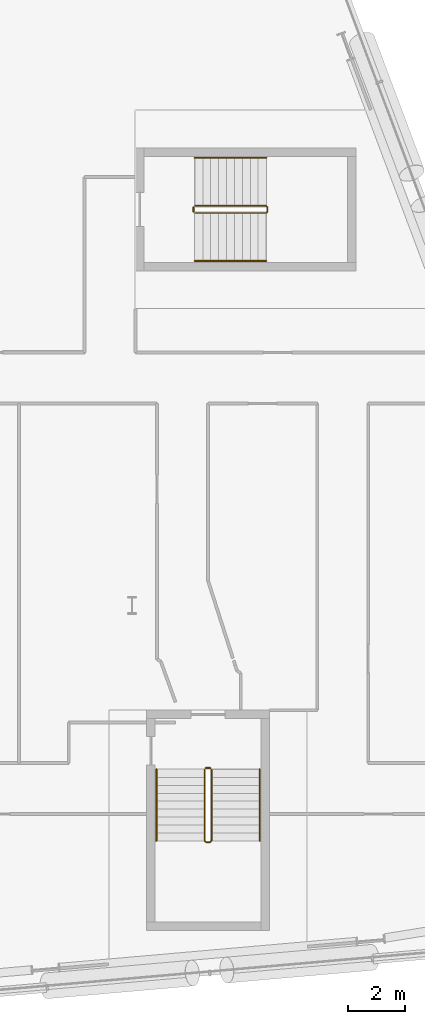
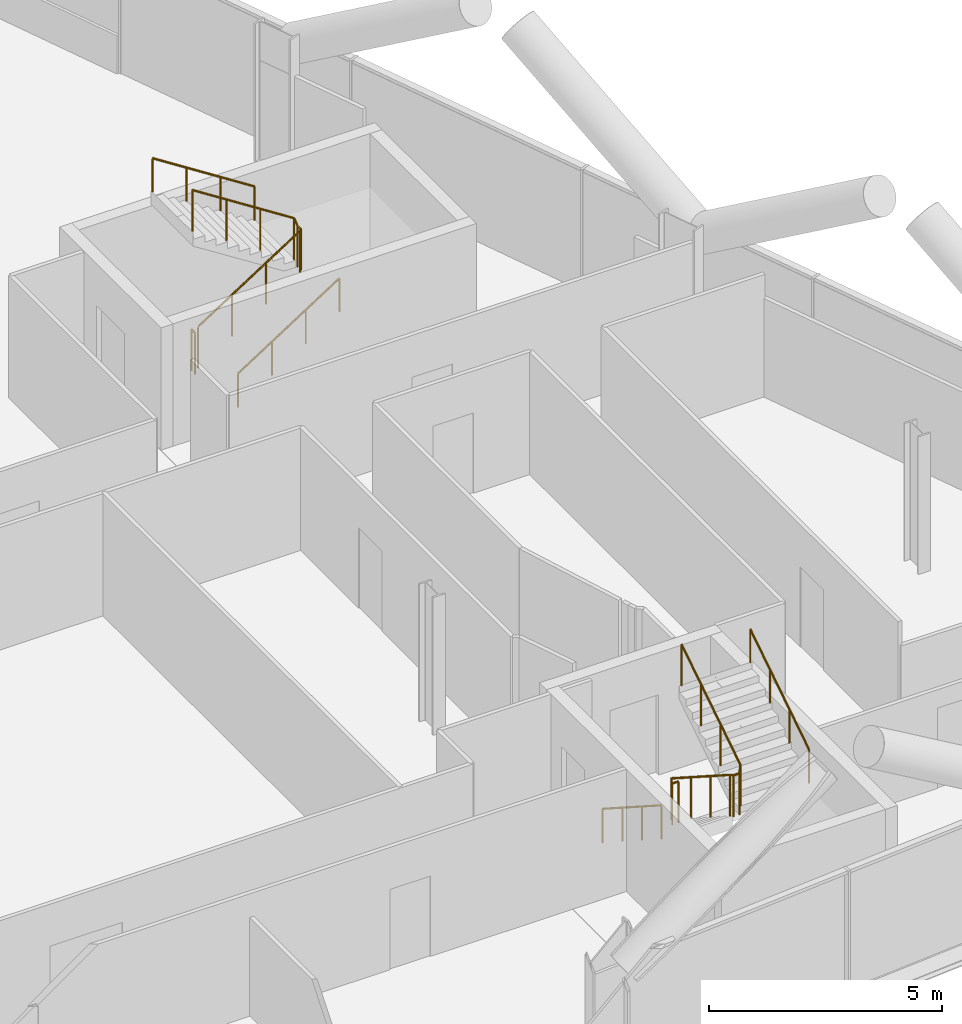
# One storey, part 28 of 28: 8 railings.
"""IFC4 building model written with IfcOpenShell, lengths in metres."""

from ifc_helpers import new_model, si_unit, direction, frame, origin, origin_2d, place, context, subcontext, project, spatial, circle, extrude, material, type_object, element, save


model = new_model("IFC4")

# Units and contexts
model_context = context("Model", 3, precision=1e-05, world=origin(), true_north=direction((0.0, 1.0)))
body_context = subcontext(model_context, "Body", "Model", "MODEL_VIEW")
ifc_project = project(units=[si_unit("LENGTHUNIT", "METRE"), si_unit("AREAUNIT", "SQUARE_METRE"), si_unit("VOLUMEUNIT", "CUBIC_METRE"), si_unit("PLANEANGLEUNIT", "RADIAN"), si_unit("MASSUNIT", "GRAM", prefix="KILO")], contexts=[model_context])

# Site, building, storey
site_placement = place(None, origin())
site = spatial("IfcSite", under=ifc_project, at=site_placement, CompositionType="ELEMENT")
building_placement = place(site_placement, origin())
building = spatial("IfcBuilding", under=site, at=building_placement, Name="Wharfspan Tower", CompositionType="ELEMENT")
storey_placement = place(building_placement, frame((0.0, 0.0, 59.5)))
storey = spatial("IfcBuildingStorey", under=building, at=storey_placement, Name="L11", CompositionType="ELEMENT", Elevation=59.5)

# Railings
ifc_material = material(Name="Steel S355J2", Category="steel")
railing_type_1 = type_object("IfcRailingType", Name="Stair guard 1100", PredefinedType="GUARDRAIL", material=ifc_material)
railing_1_placement = place(storey_placement, frame((74.567383, 5.691895, 0.179932)))
element("IfcRailing", 1, at=railing_1_placement, inside=storey, type_object=railing_type_1, Name="L11 ST5 stair guard 1", PredefinedType="GUARDRAIL", context=body_context, shape_type="SweptSolid", body=[
    extrude(circle(Radius=0.023926, at=origin_2d()), frame((0.0, 0.0, 1.076172), z_axis=(0.0, -0.841139, 0.540819), x_axis=(1.0, 0.0, 0.0)), (0.0, 0.0, 1.0), 2.995605),
    extrude(circle(Radius=0.023926, at=origin_2d()), frame((0.0, -2.519775, 2.696289), z_axis=(0.707107, -0.707107, 0.0), x_axis=(0.707107, 0.707107, 0.0)), (0.0, 0.0, 1.0), 0.070801),
    extrude(circle(Radius=0.023926, at=origin_2d()), frame((0.050049, -2.569824, 2.696289), z_axis=(1.0, 0.0, 0.0), x_axis=(0.0, 1.0, 0.0)), (0.0, 0.0, 1.0), 0.150146),
    extrude(circle(Radius=0.023926, at=origin_2d()), frame((0.200195, -2.569824, 2.696289), z_axis=(0.257669, 0.258932, 0.930892), x_axis=(-0.708833, 0.705372, 1e-06)), (0.0, 0.0, 1.0), 0.193359),
    extrude(circle(Radius=0.023926, at=origin_2d()), frame((0.25, -2.519775, 2.875977), z_axis=(0.0, 0.841139, 0.540819), x_axis=(-1.0, 0.0, 0.0)), (0.0, 0.0, 1.0), 2.995605),
    extrude(circle(Radius=0.020996, at=origin_2d()), origin(), (0.0, 0.0, 1.0), 1.052002),
    extrude(circle(Radius=0.020996, at=origin_2d()), frame((0.0, -0.839844, 0.540039)), (0.0, 0.0, 1.0), 1.052002),
    extrude(circle(Radius=0.020996, at=origin_2d()), frame((0.0, -1.679932, 1.080078)), (0.0, 0.0, 1.0), 1.052002),
    extrude(circle(Radius=0.020996, at=origin_2d()), frame((0.0, -2.519775, 1.620117)), (0.0, 0.0, 1.0), 1.052002),
    extrude(circle(Radius=0.020996, at=origin_2d()), frame((0.050049, -2.569824, 1.620117)), (0.0, 0.0, 1.0), 1.052002),
    extrude(circle(Radius=0.020996, at=origin_2d()), frame((0.200195, -2.569824, 1.620117)), (0.0, 0.0, 1.0), 1.052002),
    extrude(circle(Radius=0.020996, at=origin_2d()), frame((0.25, -2.519775, 1.800049)), (0.0, 0.0, 1.0), 1.052002),
    extrude(circle(Radius=0.020996, at=origin_2d()), frame((0.25, -1.679932, 2.340088)), (0.0, 0.0, 1.0), 1.052002),
    extrude(circle(Radius=0.020996, at=origin_2d()), frame((0.25, -0.839844, 2.880127)), (0.0, 0.0, 1.0), 1.052002),
    extrude(circle(Radius=0.020996, at=origin_2d()), frame((0.25, 0.0, 3.420166)), (0.0, 0.0, 1.0), 1.052002),
])
railing_2_placement = place(storey_placement, frame((74.617432, 5.741943, 0.0)))
element("IfcRailing", 2, at=railing_2_placement, inside=storey, type_object=railing_type_1, Name="L11 ST5 stair guard 2", PredefinedType="GUARDRAIL", context=body_context, shape_type="SweptSolid", body=[
    extrude(circle(Radius=0.023926, at=origin_2d()), frame((0.0, 0.0, 1.076172), z_axis=(1.0, 0.0, 0.0), x_axis=(0.0, 1.0, 0.0)), (0.0, 0.0, 1.0), 0.150146),
    extrude(circle(Radius=0.020996, at=origin_2d()), origin(), (0.0, 0.0, 1.0), 1.052002),
    extrude(circle(Radius=0.020996, at=origin_2d()), frame((0.150146, 0.0, 0.0)), (0.0, 0.0, 1.0), 1.052002),
])
railing_3_placement = place(storey_placement, frame((74.225098, 25.375, 0.179932)))
element("IfcRailing", 3, at=railing_3_placement, inside=storey, type_object=railing_type_1, Name="L11 ST6 stair guard 1", PredefinedType="GUARDRAIL", context=body_context, shape_type="SweptSolid", body=[
    extrude(circle(Radius=0.023926, at=origin_2d()), frame((0.0, 0.0, 1.076172), z_axis=(0.841163, 0.0, 0.540782), x_axis=(0.0, 1.0, 0.0)), (0.0, 0.0, 1.0), 2.99585),
    extrude(circle(Radius=0.023926, at=origin_2d()), frame((2.52002, 0.0, 2.696289), z_axis=(0.705376, 0.708834, 0.0), x_axis=(-0.708834, 0.705376, 0.0)), (0.0, 0.0, 1.0), 0.070557),
    extrude(circle(Radius=0.023926, at=origin_2d()), frame((2.569824, 0.050049, 2.696289), z_axis=(0.0, 1.0, 0.0), x_axis=(-1.0, 0.0, 0.0)), (0.0, 0.0, 1.0), 0.149902),
    extrude(circle(Radius=0.023926, at=origin_2d()), frame((2.569824, 0.199951, 2.696289), z_axis=(-0.257669, 0.258932, 0.930892), x_axis=(-0.708833, -0.705372, -1e-06)), (0.0, 0.0, 1.0), 0.193359),
    extrude(circle(Radius=0.023926, at=origin_2d()), frame((2.52002, 0.25, 2.875977), z_axis=(-0.841163, 0.0, 0.540782), x_axis=(0.0, -1.0, 0.0)), (0.0, 0.0, 1.0), 2.99585),
    extrude(circle(Radius=0.020996, at=origin_2d()), origin(), (0.0, 0.0, 1.0), 1.052002),
    extrude(circle(Radius=0.020996, at=origin_2d()), frame((0.840088, 0.0, 0.540039)), (0.0, 0.0, 1.0), 1.052002),
    extrude(circle(Radius=0.020996, at=origin_2d()), frame((1.679932, 0.0, 1.080078)), (0.0, 0.0, 1.0), 1.052002),
    extrude(circle(Radius=0.020996, at=origin_2d()), frame((2.52002, 0.0, 1.620117)), (0.0, 0.0, 1.0), 1.052002),
    extrude(circle(Radius=0.020996, at=origin_2d()), frame((2.569824, 0.050049, 1.620117)), (0.0, 0.0, 1.0), 1.052002),
    extrude(circle(Radius=0.020996, at=origin_2d()), frame((2.569824, 0.199951, 1.620117)), (0.0, 0.0, 1.0), 1.052002),
    extrude(circle(Radius=0.020996, at=origin_2d()), frame((2.52002, 0.25, 1.800049)), (0.0, 0.0, 1.0), 1.052002),
    extrude(circle(Radius=0.020996, at=origin_2d()), frame((1.679932, 0.25, 2.340088)), (0.0, 0.0, 1.0), 1.052002),
    extrude(circle(Radius=0.020996, at=origin_2d()), frame((0.840088, 0.25, 2.880127)), (0.0, 0.0, 1.0), 1.052002),
    extrude(circle(Radius=0.020996, at=origin_2d()), frame((0.0, 0.25, 3.420166)), (0.0, 0.0, 1.0), 1.052002),
])
railing_4_placement = place(storey_placement, frame((74.175049, 25.425049, 0.0)))
element("IfcRailing", 4, at=railing_4_placement, inside=storey, type_object=railing_type_1, Name="L11 ST6 stair guard 2", PredefinedType="GUARDRAIL", context=body_context, shape_type="SweptSolid", body=[
    extrude(circle(Radius=0.023926, at=origin_2d()), frame((0.0, 0.0, 1.076172), z_axis=(0.0, 1.0, 0.0), x_axis=(-1.0, 0.0, 0.0)), (0.0, 0.0, 1.0), 0.149902),
    extrude(circle(Radius=0.020996, at=origin_2d()), origin(), (0.0, 0.0, 1.0), 1.052002),
    extrude(circle(Radius=0.020996, at=origin_2d()), frame((0.0, 0.149902, 0.0)), (0.0, 0.0, 1.0), 1.052002),
])
railing_type_2 = type_object("IfcRailingType", Name="Stair handrail 900", PredefinedType="HANDRAIL", material=ifc_material)
railing_5_placement = place(storey_placement, frame((72.867432, 5.691895, 0.179932)))
element("IfcRailing", 5, at=railing_5_placement, inside=storey, type_object=railing_type_2, Name="L11 ST5 stair handrail 1", PredefinedType="HANDRAIL", context=body_context, shape_type="SweptSolid", body=[
    extrude(circle(Radius=0.023926, at=origin_2d()), frame((0.0, 0.0, 0.875977), z_axis=(0.0, -0.841139, 0.540819), x_axis=(1.0, 0.0, 0.0)), (0.0, 0.0, 1.0), 2.995605),
    extrude(circle(Radius=0.020996, at=origin_2d()), origin(), (0.0, 0.0, 1.0), 0.851807),
    extrude(circle(Radius=0.020996, at=origin_2d()), frame((0.0, -0.839844, 0.540039)), (0.0, 0.0, 1.0), 0.851807),
    extrude(circle(Radius=0.020996, at=origin_2d()), frame((0.0, -1.679932, 1.080078)), (0.0, 0.0, 1.0), 0.851807),
    extrude(circle(Radius=0.020996, at=origin_2d()), frame((0.0, -2.519775, 1.620117)), (0.0, 0.0, 1.0), 0.851807),
])
railing_6_placement = place(storey_placement, frame((76.517578, 3.172119, 1.97998)))
element("IfcRailing", 6, at=railing_6_placement, inside=storey, type_object=railing_type_2, Name="L11 ST5 stair handrail 2", PredefinedType="HANDRAIL", context=body_context, shape_type="SweptSolid", body=[
    extrude(circle(Radius=0.023926, at=origin_2d()), frame((0.0, 0.0, 0.875977), z_axis=(0.0, 0.841139, 0.540819), x_axis=(-1.0, 0.0, 0.0)), (0.0, 0.0, 1.0), 2.995605),
    extrude(circle(Radius=0.020996, at=origin_2d()), origin(), (0.0, 0.0, 1.0), 0.851807),
    extrude(circle(Radius=0.020996, at=origin_2d()), frame((0.0, 0.839844, 0.540039)), (0.0, 0.0, 1.0), 0.851807),
    extrude(circle(Radius=0.020996, at=origin_2d()), frame((0.0, 1.679932, 1.080078)), (0.0, 0.0, 1.0), 0.851807),
    extrude(circle(Radius=0.020996, at=origin_2d()), frame((0.0, 2.519775, 1.620117)), (0.0, 0.0, 1.0), 0.851807),
])
railing_7_placement = place(storey_placement, frame((74.225098, 23.675049, 0.179932)))
element("IfcRailing", 7, at=railing_7_placement, inside=storey, type_object=railing_type_2, Name="L11 ST6 stair handrail 1", PredefinedType="HANDRAIL", context=body_context, shape_type="SweptSolid", body=[
    extrude(circle(Radius=0.023926, at=origin_2d()), frame((0.0, 0.0, 0.875977), z_axis=(0.841163, 0.0, 0.540782), x_axis=(0.0, 1.0, 0.0)), (0.0, 0.0, 1.0), 2.99585),
    extrude(circle(Radius=0.020996, at=origin_2d()), origin(), (0.0, 0.0, 1.0), 0.851807),
    extrude(circle(Radius=0.020996, at=origin_2d()), frame((0.840088, 0.0, 0.540039)), (0.0, 0.0, 1.0), 0.851807),
    extrude(circle(Radius=0.020996, at=origin_2d()), frame((1.679932, 0.0, 1.080078)), (0.0, 0.0, 1.0), 0.851807),
    extrude(circle(Radius=0.020996, at=origin_2d()), frame((2.52002, 0.0, 1.620117)), (0.0, 0.0, 1.0), 0.851807),
])
railing_8_placement = place(storey_placement, frame((76.745117, 27.324951, 1.97998)))
element("IfcRailing", 8, at=railing_8_placement, inside=storey, type_object=railing_type_2, Name="L11 ST6 stair handrail 2", PredefinedType="HANDRAIL", context=body_context, shape_type="SweptSolid", body=[
    extrude(circle(Radius=0.023926, at=origin_2d()), frame((0.0, 0.0, 0.875977), z_axis=(-0.841163, 0.0, 0.540782), x_axis=(0.0, -1.0, 0.0)), (0.0, 0.0, 1.0), 2.99585),
    extrude(circle(Radius=0.020996, at=origin_2d()), origin(), (0.0, 0.0, 1.0), 0.851807),
    extrude(circle(Radius=0.020996, at=origin_2d()), frame((-0.840088, 0.0, 0.540039)), (0.0, 0.0, 1.0), 0.851807),
    extrude(circle(Radius=0.020996, at=origin_2d()), frame((-1.679932, 0.0, 1.080078)), (0.0, 0.0, 1.0), 0.851807),
    extrude(circle(Radius=0.020996, at=origin_2d()), frame((-2.52002, 0.0, 1.620117)), (0.0, 0.0, 1.0), 0.851807),
])

save(model, "model.ifc")
